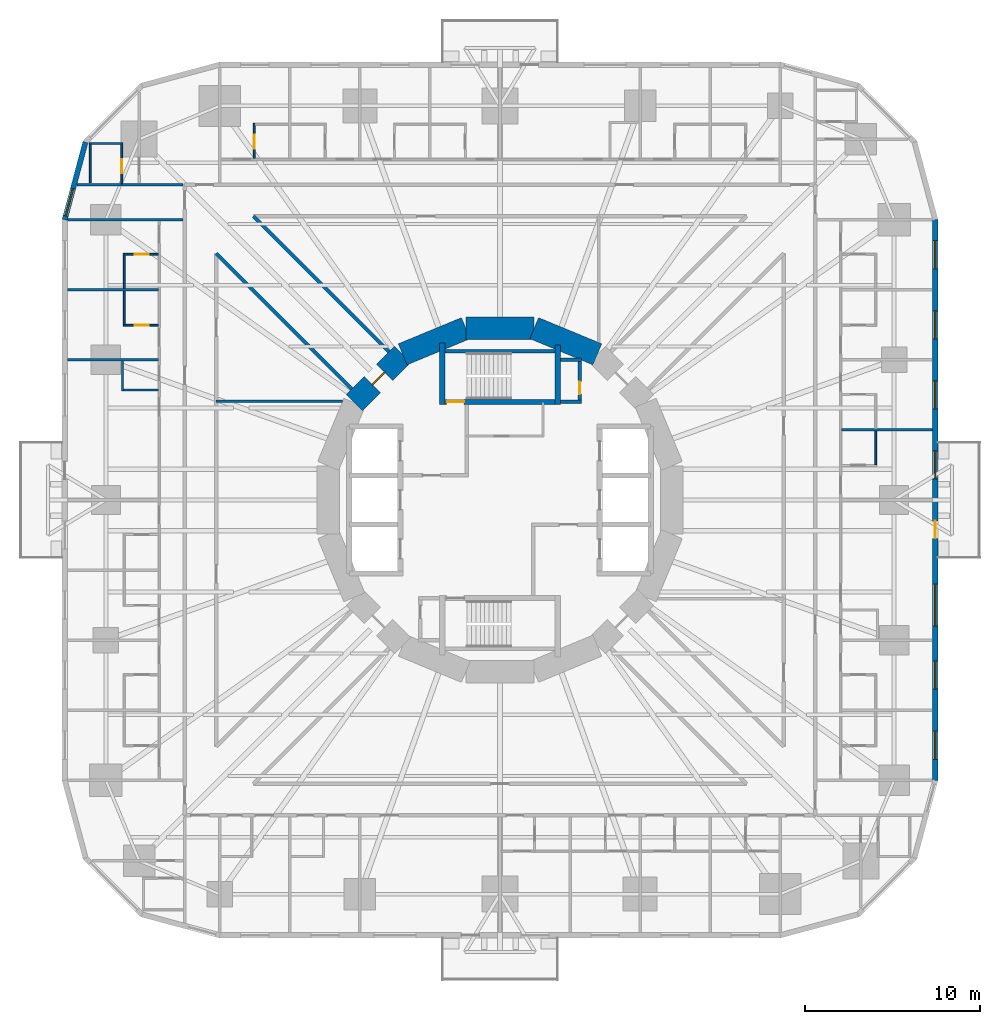
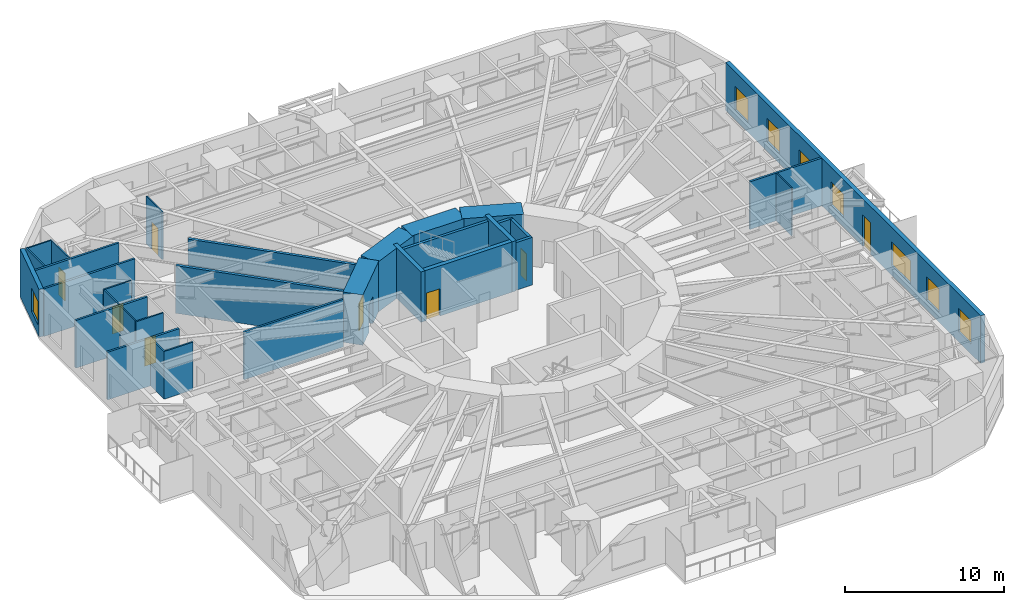
# One storey, part 9 of 14: 32 walls, 8 doors, 8 windows, 16 openings.
"""IFC4 building model written with IfcOpenShell, lengths in metres."""

from ifc_helpers import new_model, si_unit, direction, frame, frame_2d, origin, place, context, subcontext, project, spatial, rectangle, extrude, material, layer, layer_set, type_object, element, fill, save


model = new_model("IFC4")

# Units and contexts
model_context = context("Model", 3, precision=1e-05, world=origin(), true_north=direction((0.0, 1.0)))
body_context = subcontext(model_context, "Body", "Model", "MODEL_VIEW")
ifc_project = project(units=[si_unit("LENGTHUNIT", "METRE"), si_unit("AREAUNIT", "SQUARE_METRE"), si_unit("VOLUMEUNIT", "CUBIC_METRE"), si_unit("PLANEANGLEUNIT", "RADIAN"), si_unit("MASSUNIT", "GRAM", prefix="KILO")], contexts=[model_context])

# Site, building, storey
site_placement = place(None, origin())
site = spatial("IfcSite", under=ifc_project, at=site_placement, CompositionType="ELEMENT")
building_placement = place(site_placement, origin())
building = spatial("IfcBuilding", under=site, at=building_placement, Name="Nakasero Lantern House", CompositionType="ELEMENT")
storey_placement = place(building_placement, frame((0.0, 0.0, 35.25)))
storey = spatial("IfcBuildingStorey", under=building, at=storey_placement, Name="L08", CompositionType="ELEMENT", Elevation=35.25)

# Wall, opening, door
ifc_material_1 = material(Name="Concrete C50/60", Category="concrete")
ifc_layer_1 = layer(ifc_material_1, 0.300048828125)
ifc_layer_set_1 = layer_set([ifc_layer_1], Name="Core inner wall 300")
wall_type_1 = type_object("IfcWallType", Name="Core inner wall 300", PredefinedType="SHEAR", material=ifc_layer_set_1)
wall_1_placement = place(storey_placement, frame((-3.449951171875, 5.60009765625, 0.0), z_axis=(0.0, 0.0, 1.0), x_axis=(1.0, 0.0, 0.0)))
wall_1 = element("IfcWall", 1, at=wall_1_placement, inside=storey, type_object=wall_type_1, Name="Core inner wall L08 SN", PredefinedType="SHEAR", context=body_context, shape_type="SweptSolid", body=[
    extrude(rectangle(XDim=6.89990234375, YDim=0.300048828125, at=frame_2d((3.449951171875, 0.0))), origin(), (0.0, 0.0, 1.0), 3.85009765625),
])
opening_1_placement = place(wall_1_placement, frame((0.39990234375, 0.0, 0.0)))
opening_1 = element("IfcOpeningElement", 2, at=opening_1_placement, cuts=wall_1, Name="Opening D05", PredefinedType="OPENING", context=body_context, shape_type="SweptSolid", body=[
    extrude(rectangle(XDim=1.0, YDim=2.10009765625, at=frame_2d((0.5, 1.050048828125))), frame((0.0, 0.169921875, 0.0), z_axis=(0.0, -1.0, 0.0), x_axis=(1.0, 0.0, 0.0)), (0.0, 0.0, 1.0), 0.340087890625),
])
ifc_material_2 = material(Name="Timber C24", Category="wood")
door_type_1 = type_object("IfcDoorType", Name="Core door FD60S 1000", OperationType="SINGLE_SWING_LEFT", PredefinedType="DOOR", material=ifc_material_2)
door_1_placement = place(opening_1_placement, origin())
door_1 = element("IfcDoor", 3, at=door_1_placement, inside=storey, type_object=door_type_1, Name="Door L08 D-ST1", OperationType="SINGLE_SWING_LEFT", OverallHeight=2.10009765625, OverallWidth=1.0, PredefinedType="DOOR", context=body_context, shape_type="SweptSolid", body=[
    extrude(rectangle(XDim=1.0, YDim=2.10009765625, at=frame_2d((0.5, 1.050048828125))), frame((0.0, 0.02490234375, 0.0), z_axis=(0.0, -1.0, 0.0), x_axis=(1.0, 0.0, 0.0)), (0.0, 0.0, 1.0), 0.050048828125),
])
fill(opening_1, door_1)

# Walls
wall_2_placement = place(storey_placement, frame((-3.300048828125, 5.449951171875, 0.0), z_axis=(0.0, 0.0, 1.0), x_axis=(0.0, 1.0, 0.0)))
element("IfcWall", 4, at=wall_2_placement, inside=storey, type_object=wall_type_1, Name="Core inner wall L08 SNW", PredefinedType="SHEAR", context=body_context, shape_type="SweptSolid", body=[
    extrude(rectangle(XDim=3.5, YDim=0.300048828125, at=frame_2d((1.75, 0.0))), origin(), (0.0, 0.0, 1.0), 3.85009765625),
])
wall_3_placement = place(storey_placement, frame((3.300048828125, 5.449951171875, 0.0), z_axis=(0.0, 0.0, 1.0), x_axis=(0.0, 1.0, 0.0)))
element("IfcWall", 5, at=wall_3_placement, inside=storey, type_object=wall_type_1, Name="Core inner wall L08 SNE", PredefinedType="SHEAR", context=body_context, shape_type="SweptSolid", body=[
    extrude(rectangle(XDim=3.400146484375, YDim=0.300048828125, at=frame_2d((1.7001953125, 0.0))), origin(), (0.0, 0.0, 1.0), 3.85009765625),
])
ifc_material_3 = material(Name="Concrete C50/60", Category="concrete")
ifc_layer_2 = layer(ifc_material_3, 1.300048828125)
ifc_layer_set_2 = layer_set([ifc_layer_2], Name="Core wall 1300")
wall_type_2 = type_object("IfcWallType", Name="Core wall 1300", PredefinedType="SHEAR", material=ifc_layer_set_2)
for number, where, z_axis, x_axis, name in (
    (6, (5.5556640625, 8.314697265625, 0.0), (0.0, 0.0, 1.0), (-0.923876507187, 0.382690736062, 0.0), "Core wall L08 facet 3"),
    (7, (1.950927734375, 9.807861328125, 0.0), (0.0, 0.0, 1.0), (-1.0, 0.0, 0.0), "Core wall L08 facet 4"),
    (8, (-1.950927734375, 9.807861328125, 0.0), (0.0, 0.0, 1.0), (-0.923876507187, -0.382690736062, 0.0), "Core wall L08 facet 5"),
):
    element("IfcWall", number, at=place(storey_placement, frame(where, z_axis=z_axis, x_axis=x_axis)), inside=storey, type_object=wall_type_2, Name=name, PredefinedType="SHEAR", context=body_context, shape_type="SweptSolid", body=[
        extrude(rectangle(XDim=3.90185546875, YDim=1.300048828125, at=frame_2d((1.950927734375, 0.0))), origin(), (0.0, 0.0, 1.0), 3.85009765625),
    ])

# Wall, opening, door
wall_4_placement = place(storey_placement, frame((-5.5556640625, 8.314697265625, 0.0), z_axis=(0.0, 0.0, 1.0), x_axis=(-0.707106781187, -0.707106781187, 0.0)))
wall_4 = element("IfcWall", 9, at=wall_4_placement, inside=storey, type_object=wall_type_2, Name="Core wall L08 facet 6", PredefinedType="SHEAR", context=body_context, shape_type="SweptSolid", body=[
    extrude(rectangle(XDim=3.90185546875, YDim=1.300048828125, at=frame_2d((1.950927734375, 0.0))), origin(), (0.0, 0.0, 1.0), 3.85009765625),
])
opening_2_placement = place(wall_4_placement, frame((1.450927734375, 0.0, 0.0)))
opening_2 = element("IfcOpeningElement", 10, at=opening_2_placement, cuts=wall_4, Name="Opening D05", PredefinedType="OPENING", context=body_context, shape_type="SweptSolid", body=[
    extrude(rectangle(XDim=1.0, YDim=2.10009765625, at=frame_2d((0.5, 1.050048828125))), frame((0.0, 0.669921875, 0.0), z_axis=(0.0, -1.0, 0.0), x_axis=(1.0, 0.0, 0.0)), (0.0, 0.0, 1.0), 1.340087890625),
])
door_2_placement = place(opening_2_placement, origin())
door_2 = element("IfcDoor", 11, at=door_2_placement, inside=storey, type_object=door_type_1, Name="Door L08 D-CORE06", OperationType="SINGLE_SWING_LEFT", OverallHeight=2.10009765625, OverallWidth=1.0, PredefinedType="DOOR", context=body_context, shape_type="SweptSolid", body=[
    extrude(rectangle(XDim=1.0, YDim=2.10009765625, at=frame_2d((0.5, 1.050048828125))), frame((0.0, 0.02490234375, 0.0), z_axis=(0.0, -1.0, 0.0), x_axis=(1.0, 0.0, 0.0)), (0.0, 0.0, 1.0), 0.050048828125),
])
fill(opening_2, door_2)

# Walls
ifc_material_4 = material(Name="Blockwork", Category="masonry")
ifc_layer_3 = layer(ifc_material_4, 0.199951171875)
ifc_layer_set_3 = layer_set([ifc_layer_3], Name="Corridor wall 200")
wall_type_3 = type_object("IfcWallType", Name="Corridor wall 200", PredefinedType="PARTITIONING", material=ifc_layer_set_3)
for number, where, z_axis, x_axis, name in (
    (12, (-8.45556640625, 6.334228515625, 0.0), (0.0, 0.0, 1.0), (-0.707106781187, 0.707106781187, 0.0), "Corridor wall L08 PS06a"),
    (13, (-6.334228515625, 8.45556640625, 0.0), (0.0, 0.0, 1.0), (-0.707106781187, 0.707106781187, 0.0), "Corridor wall L08 PS06b"),
):
    element("IfcWall", number, at=place(storey_placement, frame(where, z_axis=z_axis, x_axis=x_axis)), inside=storey, type_object=wall_type_3, Name=name, PredefinedType="PARTITIONING", context=body_context, shape_type="SweptSolid", body=[
        extrude(rectangle(XDim=10.9521484375, YDim=0.199951171875, at=frame_2d((5.47607421875, 0.0))), origin(), (0.0, 0.0, 1.0), 3.64990234375),
    ])
ifc_material_5 = material(Name="Blockwork", Category="masonry")
ifc_layer_4 = layer(ifc_material_5, 0.10009765625)
ifc_layer_set_4 = layer_set([ifc_layer_4], Name="En-suite wall 100")
wall_type_4 = type_object("IfcWallType", Name="En-suite wall 100", PredefinedType="PARTITIONING", material=ifc_layer_set_4)
wall_5_placement = place(storey_placement, frame((21.449951171875, 2.02490234375, 0.0), z_axis=(0.0, 0.0, 1.0), x_axis=(0.0, 1.0, 0.0)))
element("IfcWall", 14, at=wall_5_placement, inside=storey, type_object=wall_type_4, Name="En-suite wall L08 EE0-05", PredefinedType="PARTITIONING", context=body_context, shape_type="SweptSolid", body=[
    extrude(rectangle(XDim=1.900146484375, YDim=0.10009765625, at=frame_2d((0.9501953125, 0.0))), origin(), (0.0, 0.0, 1.0), 3.64990234375),
])

# Wall, opening, door
wall_6_placement = place(storey_placement, frame((-14.02490234375, 19.5, 0.0), z_axis=(0.0, 0.0, 1.0), x_axis=(0.0, 1.0, 0.0)))
wall_6 = element("IfcWall", 15, at=wall_6_placement, inside=storey, type_object=wall_type_4, Name="En-suite wall L08 ES1-08", PredefinedType="PARTITIONING", context=body_context, shape_type="SweptSolid", body=[
    extrude(rectangle(XDim=2.0, YDim=0.10009765625, at=frame_2d((1.0, 0.0))), origin(), (0.0, 0.0, 1.0), 3.64990234375),
])
opening_3_placement = place(wall_6_placement, frame((0.550048828125, 0.0, 0.0)))
opening_3 = element("IfcOpeningElement", 16, at=opening_3_placement, cuts=wall_6, Name="Opening D02", PredefinedType="OPENING", context=body_context, shape_type="SweptSolid", body=[
    extrude(rectangle(XDim=0.800048828125, YDim=2.10009765625, at=frame_2d((0.39990234375, 1.050048828125))), frame((0.0, 0.070068359375, 0.0), z_axis=(0.0, -1.0, 0.0), x_axis=(1.0, 0.0, 0.0)), (0.0, 0.0, 1.0), 0.14013671875),
])
ifc_material_6 = material(Name="Timber C24", Category="wood")
door_type_2 = type_object("IfcDoorType", Name="En-suite door 800", OperationType="SINGLE_SWING_RIGHT", PredefinedType="DOOR", material=ifc_material_6)
door_3_placement = place(opening_3_placement, origin())
door_3 = element("IfcDoor", 17, at=door_3_placement, inside=storey, type_object=door_type_2, Name="Door L08 DE1-08", OperationType="SINGLE_SWING_LEFT", OverallHeight=2.10009765625, OverallWidth=0.800048828125, PredefinedType="DOOR", context=body_context, shape_type="SweptSolid", body=[
    extrude(rectangle(XDim=0.800048828125, YDim=2.10009765625, at=frame_2d((0.39990234375, 1.050048828125))), frame((0.0, 0.02490234375, 0.0), z_axis=(0.0, -1.0, 0.0), x_axis=(1.0, 0.0, 0.0)), (0.0, 0.0, 1.0), 0.050048828125),
])
fill(opening_3, door_3)

wall_7_placement = place(storey_placement, frame((-21.59619140625, 18.06494140625, 0.0), z_axis=(0.0, 0.0, 1.0), x_axis=(0.0, 1.0, 0.0)))
wall_7 = element("IfcWall", 18, at=wall_7_placement, inside=storey, type_object=wall_type_4, Name="En-suite wall L08 ES1-09", PredefinedType="PARTITIONING", context=body_context, shape_type="SweptSolid", body=[
    extrude(rectangle(XDim=2.3349609375, YDim=0.10009765625, at=frame_2d((1.16748046875, 0.0))), origin(), (0.0, 0.0, 1.0), 3.64990234375),
])
opening_4_placement = place(wall_7_placement, frame((0.5849609375, 0.0, 0.0)))
opening_4 = element("IfcOpeningElement", 19, at=opening_4_placement, cuts=wall_7, Name="Opening D02", PredefinedType="OPENING", context=body_context, shape_type="SweptSolid", body=[
    extrude(rectangle(XDim=0.800048828125, YDim=2.10009765625, at=frame_2d((0.39990234375, 1.050048828125))), frame((0.0, 0.070068359375, 0.0), z_axis=(0.0, -1.0, 0.0), x_axis=(1.0, 0.0, 0.0)), (0.0, 0.0, 1.0), 0.14013671875),
])
door_4_placement = place(opening_4_placement, origin())
door_4 = element("IfcDoor", 20, at=door_4_placement, inside=storey, type_object=door_type_2, Name="Door L08 DE1-09", OperationType="SINGLE_SWING_LEFT", OverallHeight=2.10009765625, OverallWidth=0.800048828125, PredefinedType="DOOR", context=body_context, shape_type="SweptSolid", body=[
    extrude(rectangle(XDim=0.800048828125, YDim=2.10009765625, at=frame_2d((0.39990234375, 1.050048828125))), frame((0.0, 0.02490234375, 0.0), z_axis=(0.0, -1.0, 0.0), x_axis=(1.0, 0.0, 0.0)), (0.0, 0.0, 1.0), 0.050048828125),
])
fill(opening_4, door_4)

# Walls
wall_8_placement = place(storey_placement, frame((-21.646240234375, 20.35009765625, 0.0), z_axis=(0.0, 0.0, 1.0), x_axis=(-1.0, 0.0, 0.0)))
element("IfcWall", 21, at=wall_8_placement, inside=storey, type_object=wall_type_4, Name="En-suite wall L08 EE1-09", PredefinedType="PARTITIONING", context=body_context, shape_type="SweptSolid", body=[
    extrude(rectangle(XDim=1.699951171875, YDim=0.10009765625, at=frame_2d((0.85009765625, 0.0))), origin(), (0.0, 0.0, 1.0), 3.64990234375),
])
wall_9_placement = place(storey_placement, frame((-23.396240234375, 18.10009765625, 0.0), z_axis=(0.0, 0.0, 1.0), x_axis=(0.0, 1.0, 0.0)))
element("IfcWall", 22, at=wall_9_placement, inside=storey, type_object=wall_type_4, Name="En-suite wall L08 EV1-09", PredefinedType="PARTITIONING", context=body_context, shape_type="SweptSolid", body=[
    extrude(rectangle(XDim=2.2998046875, YDim=0.10009765625, at=frame_2d((1.14990234375, 0.0))), origin(), (0.0, 0.0, 1.0), 3.64990234375),
])
wall_10_placement = place(storey_placement, frame((-19.5, 6.27490234375, 0.0), z_axis=(0.0, 0.0, 1.0), x_axis=(-1.0, 0.0, 0.0)))
element("IfcWall", 23, at=wall_10_placement, inside=storey, type_object=wall_type_4, Name="En-suite wall L08 SS2-0", PredefinedType="PARTITIONING", context=body_context, shape_type="SweptSolid", body=[
    extrude(rectangle(XDim=2.10009765625, YDim=0.10009765625, at=frame_2d((1.050048828125, 0.0))), origin(), (0.0, 0.0, 1.0), 3.64990234375),
])
wall_11_placement = place(storey_placement, frame((-21.550048828125, 7.925048828125, 0.0), z_axis=(0.0, 0.0, 1.0), x_axis=(0.0, -1.0, 0.0)))
element("IfcWall", 24, at=wall_11_placement, inside=storey, type_object=wall_type_4, Name="En-suite wall L08 SE2-0", PredefinedType="PARTITIONING", context=body_context, shape_type="SweptSolid", body=[
    extrude(rectangle(XDim=1.699951171875, YDim=0.10009765625, at=frame_2d((0.85009765625, 0.0))), origin(), (0.0, 0.0, 1.0), 3.64990234375),
])

# Wall, opening, door
wall_12_placement = place(storey_placement, frame((-19.5, 14.02490234375, 0.0), z_axis=(0.0, 0.0, 1.0), x_axis=(-1.0, 0.0, 0.0)))
wall_12 = element("IfcWall", 25, at=wall_12_placement, inside=storey, type_object=wall_type_4, Name="En-suite wall L08 ES2-01", PredefinedType="PARTITIONING", context=body_context, shape_type="SweptSolid", body=[
    extrude(rectangle(XDim=2.0, YDim=0.10009765625, at=frame_2d((1.0, 0.0))), origin(), (0.0, 0.0, 1.0), 3.64990234375),
])
opening_5_placement = place(wall_12_placement, frame((0.550048828125, 0.0, 0.0)))
opening_5 = element("IfcOpeningElement", 26, at=opening_5_placement, cuts=wall_12, Name="Opening D02", PredefinedType="OPENING", context=body_context, shape_type="SweptSolid", body=[
    extrude(rectangle(XDim=0.800048828125, YDim=2.10009765625, at=frame_2d((0.39990234375, 1.050048828125))), frame((0.0, 0.070068359375, 0.0), z_axis=(0.0, -1.0, 0.0), x_axis=(1.0, 0.0, 0.0)), (0.0, 0.0, 1.0), 0.14013671875),
])
door_5_placement = place(opening_5_placement, origin())
door_5 = element("IfcDoor", 27, at=door_5_placement, inside=storey, type_object=door_type_2, Name="Door L08 DE2-01", OperationType="SINGLE_SWING_LEFT", OverallHeight=2.10009765625, OverallWidth=0.800048828125, PredefinedType="DOOR", context=body_context, shape_type="SweptSolid", body=[
    extrude(rectangle(XDim=0.800048828125, YDim=2.10009765625, at=frame_2d((0.39990234375, 1.050048828125))), frame((0.0, 0.02490234375, 0.0), z_axis=(0.0, -1.0, 0.0), x_axis=(1.0, 0.0, 0.0)), (0.0, 0.0, 1.0), 0.050048828125),
])
fill(opening_5, door_5)

# Wall
wall_13_placement = place(storey_placement, frame((-21.449951171875, 13.97509765625, 0.0), z_axis=(0.0, 0.0, 1.0), x_axis=(0.0, -1.0, 0.0)))
element("IfcWall", 28, at=wall_13_placement, inside=storey, type_object=wall_type_4, Name="En-suite wall L08 EE2-01", PredefinedType="PARTITIONING", context=body_context, shape_type="SweptSolid", body=[
    extrude(rectangle(XDim=1.900146484375, YDim=0.10009765625, at=frame_2d((0.9501953125, 0.0))), origin(), (0.0, 0.0, 1.0), 3.64990234375),
])

# Wall, opening, door
wall_14_placement = place(storey_placement, frame((-19.5, 9.97509765625, 0.0), z_axis=(0.0, 0.0, 1.0), x_axis=(-1.0, 0.0, 0.0)))
wall_14 = element("IfcWall", 29, at=wall_14_placement, inside=storey, type_object=wall_type_4, Name="En-suite wall L08 ES2-02", PredefinedType="PARTITIONING", context=body_context, shape_type="SweptSolid", body=[
    extrude(rectangle(XDim=2.0, YDim=0.10009765625, at=frame_2d((1.0, 0.0))), origin(), (0.0, 0.0, 1.0), 3.64990234375),
])
opening_6_placement = place(wall_14_placement, frame((0.550048828125, 0.0, 0.0)))
opening_6 = element("IfcOpeningElement", 30, at=opening_6_placement, cuts=wall_14, Name="Opening D02", PredefinedType="OPENING", context=body_context, shape_type="SweptSolid", body=[
    extrude(rectangle(XDim=0.800048828125, YDim=2.10009765625, at=frame_2d((0.39990234375, 1.050048828125))), frame((0.0, 0.070068359375, 0.0), z_axis=(0.0, -1.0, 0.0), x_axis=(1.0, 0.0, 0.0)), (0.0, 0.0, 1.0), 0.14013671875),
])
door_6_placement = place(opening_6_placement, origin())
door_6 = element("IfcDoor", 31, at=door_6_placement, inside=storey, type_object=door_type_2, Name="Door L08 DE2-02", OperationType="SINGLE_SWING_LEFT", OverallHeight=2.10009765625, OverallWidth=0.800048828125, PredefinedType="DOOR", context=body_context, shape_type="SweptSolid", body=[
    extrude(rectangle(XDim=0.800048828125, YDim=2.10009765625, at=frame_2d((0.39990234375, 1.050048828125))), frame((0.0, 0.02490234375, 0.0), z_axis=(0.0, -1.0, 0.0), x_axis=(1.0, 0.0, 0.0)), (0.0, 0.0, 1.0), 0.050048828125),
])
fill(opening_6, door_6)

# Wall
wall_15_placement = place(storey_placement, frame((-21.449951171875, 11.925048828125, 0.0), z_axis=(0.0, 0.0, 1.0), x_axis=(0.0, -1.0, 0.0)))
element("IfcWall", 32, at=wall_15_placement, inside=storey, type_object=wall_type_4, Name="En-suite wall L08 EE2-02", PredefinedType="PARTITIONING", context=body_context, shape_type="SweptSolid", body=[
    extrude(rectangle(XDim=1.900146484375, YDim=0.10009765625, at=frame_2d((0.9501953125, 0.0))), origin(), (0.0, 0.0, 1.0), 3.64990234375),
])

# Wall, openings, door, windows
ifc_material_7 = material(Name="Aluminium rainscreen on blockwork", Category="masonry")
ifc_layer_5 = layer(ifc_material_7, 0.300048828125)
ifc_layer_set_5 = layer_set([ifc_layer_5], Name="Facade wall 300")
wall_type_5 = type_object("IfcWallType", Name="Facade wall 300", PredefinedType="SOLIDWALL", material=ifc_layer_set_5)
wall_16_placement = place(storey_placement, frame((24.85009765625, -16.0, 0.0), z_axis=(0.0, 0.0, 1.0), x_axis=(0.0, 1.0, 0.0)))
wall_16 = element("IfcWall", 33, at=wall_16_placement, inside=storey, type_object=wall_type_5, Name="Facade wall L08 FW0S", PredefinedType="SOLIDWALL", context=body_context, shape_type="SweptSolid", body=[
    extrude(rectangle(XDim=32.0, YDim=0.300048828125, at=frame_2d((16.0, 0.0))), origin(), (0.0, 0.0, 1.0), 3.64990234375),
])
opening_7_placement = place(wall_16_placement, frame((1.199951171875, 0.0, 0.75)))
opening_7 = element("IfcOpeningElement", 34, at=opening_7_placement, cuts=wall_16, Name="Opening W01", PredefinedType="OPENING", context=body_context, shape_type="SweptSolid", body=[
    extrude(rectangle(XDim=1.60009765625, YDim=1.800048828125, at=frame_2d((0.800048828125, 0.89990234375))), frame((0.0, 0.169921875, 0.0), z_axis=(0.0, -1.0, 0.0), x_axis=(1.0, 0.0, 0.0)), (0.0, 0.0, 1.0), 0.340087890625),
])
opening_8_placement = place(wall_16_placement, frame((5.199951171875, 0.0, 0.75)))
opening_8 = element("IfcOpeningElement", 35, at=opening_8_placement, cuts=wall_16, Name="Opening W01", PredefinedType="OPENING", context=body_context, shape_type="SweptSolid", body=[
    extrude(rectangle(XDim=1.60009765625, YDim=1.800048828125, at=frame_2d((0.800048828125, 0.89990234375))), frame((0.0, 0.169921875, 0.0), z_axis=(0.0, -1.0, 0.0), x_axis=(1.0, 0.0, 0.0)), (0.0, 0.0, 1.0), 0.340087890625),
])
opening_9_placement = place(wall_16_placement, frame((17.199951171875, 0.0, 0.75)))
opening_9 = element("IfcOpeningElement", 36, at=opening_9_placement, cuts=wall_16, Name="Opening W01", PredefinedType="OPENING", context=body_context, shape_type="SweptSolid", body=[
    extrude(rectangle(XDim=1.60009765625, YDim=1.800048828125, at=frame_2d((0.800048828125, 0.89990234375))), frame((0.0, 0.169921875, 0.0), z_axis=(0.0, -1.0, 0.0), x_axis=(1.0, 0.0, 0.0)), (0.0, 0.0, 1.0), 0.340087890625),
])
opening_10_placement = place(wall_16_placement, frame((21.199951171875, 0.0, 0.75)))
opening_10 = element("IfcOpeningElement", 37, at=opening_10_placement, cuts=wall_16, Name="Opening W01", PredefinedType="OPENING", context=body_context, shape_type="SweptSolid", body=[
    extrude(rectangle(XDim=1.60009765625, YDim=1.800048828125, at=frame_2d((0.800048828125, 0.89990234375))), frame((0.0, 0.169921875, 0.0), z_axis=(0.0, -1.0, 0.0), x_axis=(1.0, 0.0, 0.0)), (0.0, 0.0, 1.0), 0.340087890625),
])
opening_11_placement = place(wall_16_placement, frame((25.199951171875, 0.0, 0.75)))
opening_11 = element("IfcOpeningElement", 38, at=opening_11_placement, cuts=wall_16, Name="Opening W01", PredefinedType="OPENING", context=body_context, shape_type="SweptSolid", body=[
    extrude(rectangle(XDim=1.60009765625, YDim=1.800048828125, at=frame_2d((0.800048828125, 0.89990234375))), frame((0.0, 0.169921875, 0.0), z_axis=(0.0, -1.0, 0.0), x_axis=(1.0, 0.0, 0.0)), (0.0, 0.0, 1.0), 0.340087890625),
])
opening_12_placement = place(wall_16_placement, frame((29.199951171875, 0.0, 0.75)))
opening_12 = element("IfcOpeningElement", 39, at=opening_12_placement, cuts=wall_16, Name="Opening W01", PredefinedType="OPENING", context=body_context, shape_type="SweptSolid", body=[
    extrude(rectangle(XDim=1.60009765625, YDim=1.800048828125, at=frame_2d((0.800048828125, 0.89990234375))), frame((0.0, 0.169921875, 0.0), z_axis=(0.0, -1.0, 0.0), x_axis=(1.0, 0.0, 0.0)), (0.0, 0.0, 1.0), 0.340087890625),
])
opening_13_placement = place(wall_16_placement, frame((8.800048828125, 0.0, 0.75)))
opening_13 = element("IfcOpeningElement", 40, at=opening_13_placement, cuts=wall_16, Name="Opening W03", PredefinedType="OPENING", context=body_context, shape_type="SweptSolid", body=[
    extrude(rectangle(XDim=2.39990234375, YDim=1.800048828125, at=frame_2d((1.199951171875, 0.89990234375))), frame((0.0, 0.169921875, 0.0), z_axis=(0.0, -1.0, 0.0), x_axis=(1.0, 0.0, 0.0)), (0.0, 0.0, 1.0), 0.340087890625),
])
opening_14_placement = place(wall_16_placement, frame((13.8125, 0.0, 0.0)))
opening_14 = element("IfcOpeningElement", 41, at=opening_14_placement, cuts=wall_16, Name="Opening D04", PredefinedType="OPENING", context=body_context, shape_type="SweptSolid", body=[
    extrude(rectangle(XDim=1.0, YDim=2.39990234375, at=frame_2d((0.5, 1.199951171875))), frame((0.0, 0.169921875, 0.0), z_axis=(0.0, -1.0, 0.0), x_axis=(1.0, 0.0, 0.0)), (0.0, 0.0, 1.0), 0.340087890625),
])
ifc_material_8 = material(Name="Aluminium 6063-T6 and glass", Category="aluminium")
door_type_3 = type_object("IfcDoorType", Name="Balcony door 1000x2400", OperationType="SINGLE_SWING_RIGHT", PredefinedType="DOOR", material=ifc_material_8)
door_7_placement = place(opening_14_placement, origin())
door_7 = element("IfcDoor", 42, at=door_7_placement, inside=storey, type_object=door_type_3, Name="Balcony door L08 DB0", OperationType="SINGLE_SWING_RIGHT", OverallHeight=2.39990234375, OverallWidth=1.0, PredefinedType="DOOR", context=body_context, shape_type="SweptSolid", body=[
    extrude(rectangle(XDim=1.0, YDim=2.39990234375, at=frame_2d((0.5, 1.199951171875))), frame((0.0, 0.02490234375, 0.0), z_axis=(0.0, -1.0, 0.0), x_axis=(1.0, 0.0, 0.0)), (0.0, 0.0, 1.0), 0.050048828125),
])
fill(opening_14, door_7)
ifc_material_9 = material(Name="Aluminium 6063-T6 and glass", Category="aluminium")
window_type_1 = type_object("IfcWindowType", Name="Bedroom window 1600x1800", PartitioningType="SINGLE_PANEL", PredefinedType="WINDOW", material=ifc_material_9)
window_1_placement = place(opening_7_placement, origin())
window_1 = element("IfcWindow", 43, at=window_1_placement, inside=storey, type_object=window_type_1, Name="Window L08 WN0-01", OverallHeight=1.800048828125, OverallWidth=1.60009765625, PartitioningType="SINGLE_PANEL", PredefinedType="WINDOW", context=body_context, shape_type="SweptSolid", body=[
    extrude(rectangle(XDim=1.60009765625, YDim=1.800048828125, at=frame_2d((0.800048828125, 0.89990234375))), frame((0.0, 0.030029296875, 0.0), z_axis=(0.0, -1.0, 0.0), x_axis=(1.0, 0.0, 0.0)), (0.0, 0.0, 1.0), 0.06005859375),
])
fill(opening_7, window_1)
window_2_placement = place(opening_8_placement, origin())
window_2 = element("IfcWindow", 44, at=window_2_placement, inside=storey, type_object=window_type_1, Name="Window L08 WN0-02", OverallHeight=1.800048828125, OverallWidth=1.60009765625, PartitioningType="SINGLE_PANEL", PredefinedType="WINDOW", context=body_context, shape_type="SweptSolid", body=[
    extrude(rectangle(XDim=1.60009765625, YDim=1.800048828125, at=frame_2d((0.800048828125, 0.89990234375))), frame((0.0, 0.030029296875, 0.0), z_axis=(0.0, -1.0, 0.0), x_axis=(1.0, 0.0, 0.0)), (0.0, 0.0, 1.0), 0.06005859375),
])
fill(opening_8, window_2)
window_3_placement = place(opening_9_placement, origin())
window_3 = element("IfcWindow", 45, at=window_3_placement, inside=storey, type_object=window_type_1, Name="Window L08 WN0-05", OverallHeight=1.800048828125, OverallWidth=1.60009765625, PartitioningType="SINGLE_PANEL", PredefinedType="WINDOW", context=body_context, shape_type="SweptSolid", body=[
    extrude(rectangle(XDim=1.60009765625, YDim=1.800048828125, at=frame_2d((0.800048828125, 0.89990234375))), frame((0.0, 0.030029296875, 0.0), z_axis=(0.0, -1.0, 0.0), x_axis=(1.0, 0.0, 0.0)), (0.0, 0.0, 1.0), 0.06005859375),
])
fill(opening_9, window_3)
window_4_placement = place(opening_10_placement, origin())
window_4 = element("IfcWindow", 46, at=window_4_placement, inside=storey, type_object=window_type_1, Name="Window L08 WN0-06", OverallHeight=1.800048828125, OverallWidth=1.60009765625, PartitioningType="SINGLE_PANEL", PredefinedType="WINDOW", context=body_context, shape_type="SweptSolid", body=[
    extrude(rectangle(XDim=1.60009765625, YDim=1.800048828125, at=frame_2d((0.800048828125, 0.89990234375))), frame((0.0, 0.030029296875, 0.0), z_axis=(0.0, -1.0, 0.0), x_axis=(1.0, 0.0, 0.0)), (0.0, 0.0, 1.0), 0.06005859375),
])
fill(opening_10, window_4)
window_5_placement = place(opening_11_placement, origin())
window_5 = element("IfcWindow", 47, at=window_5_placement, inside=storey, type_object=window_type_1, Name="Window L08 WN0-07", OverallHeight=1.800048828125, OverallWidth=1.60009765625, PartitioningType="SINGLE_PANEL", PredefinedType="WINDOW", context=body_context, shape_type="SweptSolid", body=[
    extrude(rectangle(XDim=1.60009765625, YDim=1.800048828125, at=frame_2d((0.800048828125, 0.89990234375))), frame((0.0, 0.030029296875, 0.0), z_axis=(0.0, -1.0, 0.0), x_axis=(1.0, 0.0, 0.0)), (0.0, 0.0, 1.0), 0.06005859375),
])
fill(opening_11, window_5)
window_6_placement = place(opening_12_placement, origin())
window_6 = element("IfcWindow", 48, at=window_6_placement, inside=storey, type_object=window_type_1, Name="Window L08 WN0-08", OverallHeight=1.800048828125, OverallWidth=1.60009765625, PartitioningType="SINGLE_PANEL", PredefinedType="WINDOW", context=body_context, shape_type="SweptSolid", body=[
    extrude(rectangle(XDim=1.60009765625, YDim=1.800048828125, at=frame_2d((0.800048828125, 0.89990234375))), frame((0.0, 0.030029296875, 0.0), z_axis=(0.0, -1.0, 0.0), x_axis=(1.0, 0.0, 0.0)), (0.0, 0.0, 1.0), 0.06005859375),
])
fill(opening_12, window_6)
ifc_material_10 = material(Name="Aluminium 6063-T6 and glass", Category="aluminium")
window_type_2 = type_object("IfcWindowType", Name="Lounge window 2400x1800", PartitioningType="SINGLE_PANEL", PredefinedType="WINDOW", material=ifc_material_10)
window_7_placement = place(opening_13_placement, origin())
window_7 = element("IfcWindow", 49, at=window_7_placement, inside=storey, type_object=window_type_2, Name="Window L08 WK0", OverallHeight=1.800048828125, OverallWidth=2.39990234375, PartitioningType="SINGLE_PANEL", PredefinedType="WINDOW", context=body_context, shape_type="SweptSolid", body=[
    extrude(rectangle(XDim=2.39990234375, YDim=1.800048828125, at=frame_2d((1.199951171875, 0.89990234375))), frame((0.0, 0.030029296875, 0.0), z_axis=(0.0, -1.0, 0.0), x_axis=(1.0, 0.0, 0.0)), (0.0, 0.0, 1.0), 0.06005859375),
])
fill(opening_13, window_7)

# Wall, opening, window
wall_17_placement = place(storey_placement, frame((-23.664306640625, 20.425048828125, 0.0), z_axis=(0.0, 0.0, 1.0), x_axis=(-0.258839972501, -0.965920218567, 0.0)))
wall_17 = element("IfcWall", 50, at=wall_17_placement, inside=storey, type_object=wall_type_5, Name="Facade wall L08 FW1C3", PredefinedType="SOLIDWALL", context=body_context, shape_type="SweptSolid", body=[
    extrude(rectangle(XDim=4.5810546875, YDim=0.300048828125, at=frame_2d((2.29052734375, 0.0))), origin(), (0.0, 0.0, 1.0), 3.64990234375),
])
opening_15_placement = place(wall_17_placement, frame((2.74609375, 0.0, 0.75)))
opening_15 = element("IfcOpeningElement", 51, at=opening_15_placement, cuts=wall_17, Name="Opening W01", PredefinedType="OPENING", context=body_context, shape_type="SweptSolid", body=[
    extrude(rectangle(XDim=1.60009765625, YDim=1.800048828125, at=frame_2d((0.800048828125, 0.89990234375))), frame((0.0, 0.169921875, 0.0), z_axis=(0.0, -1.0, 0.0), x_axis=(1.0, 0.0, 0.0)), (0.0, 0.0, 1.0), 0.340087890625),
])
window_8_placement = place(opening_15_placement, origin())
window_8 = element("IfcWindow", 52, at=window_8_placement, inside=storey, type_object=window_type_1, Name="Window L08 WN2-00", OverallHeight=1.800048828125, OverallWidth=1.60009765625, PartitioningType="SINGLE_PANEL", PredefinedType="WINDOW", context=body_context, shape_type="SweptSolid", body=[
    extrude(rectangle(XDim=1.60009765625, YDim=1.800048828125, at=frame_2d((0.800048828125, 0.89990234375))), frame((0.0, 0.030029296875, 0.0), z_axis=(0.0, -1.0, 0.0), x_axis=(1.0, 0.0, 0.0)), (0.0, 0.0, 1.0), 0.06005859375),
])
fill(opening_15, window_8)

# Wall, opening, door
ifc_material_11 = material(Name="Blockwork", Category="masonry")
ifc_layer_6 = layer(ifc_material_11, 0.199951171875)
ifc_layer_set_6 = layer_set([ifc_layer_6], Name="Fire lobby wall 200")
wall_type_6 = type_object("IfcWallType", Name="Fire lobby wall 200", PredefinedType="PARTITIONING", material=ifc_layer_set_6)
wall_18_placement = place(storey_placement, frame((4.550048828125, 5.60009765625, 0.0), z_axis=(0.0, 0.0, 1.0), x_axis=(0.0, 1.0, 0.0)))
wall_18 = element("IfcWall", 53, at=wall_18_placement, inside=storey, type_object=wall_type_6, Name="Fire lobby wall L08 W-RS1E", PredefinedType="PARTITIONING", context=body_context, shape_type="SweptSolid", body=[
    extrude(rectangle(XDim=2.39990234375, YDim=0.199951171875, at=frame_2d((1.199951171875, 0.0))), origin(), (0.0, 0.0, 1.0), 3.64990234375),
])
opening_16_placement = place(wall_18_placement, frame((0.449951171875, 0.0, 0.0)))
opening_16 = element("IfcOpeningElement", 54, at=opening_16_placement, cuts=wall_18, Name="Opening D06", PredefinedType="OPENING", context=body_context, shape_type="SweptSolid", body=[
    extrude(rectangle(XDim=0.699951171875, YDim=2.10009765625, at=frame_2d((0.35009765625, 1.050048828125))), frame((0.0, 0.119873046875, 0.0), z_axis=(0.0, -1.0, 0.0), x_axis=(1.0, 0.0, 0.0)), (0.0, 0.0, 1.0), 0.239990234375),
])
ifc_material_12 = material(Name="Steel S355", Category="steel")
door_type_4 = type_object("IfcDoorType", Name="Riser door FD60 700", OperationType="SINGLE_SWING_LEFT", PredefinedType="DOOR", material=ifc_material_12)
door_8_placement = place(opening_16_placement, origin())
door_8 = element("IfcDoor", 55, at=door_8_placement, inside=storey, type_object=door_type_4, Name="Door L08 D-RS1", OperationType="SINGLE_SWING_LEFT", OverallHeight=2.10009765625, OverallWidth=0.699951171875, PredefinedType="DOOR", context=body_context, shape_type="SweptSolid", body=[
    extrude(rectangle(XDim=0.699951171875, YDim=2.10009765625, at=frame_2d((0.35009765625, 1.050048828125))), frame((0.0, 0.02490234375, 0.0), z_axis=(0.0, -1.0, 0.0), x_axis=(1.0, 0.0, 0.0)), (0.0, 0.0, 1.0), 0.050048828125),
])
fill(opening_16, door_8)

# Walls
for number, where, z_axis, x_axis, name in (
    (56, (3.449951171875, 8.0, 0.0), (0.0, 0.0, 1.0), (1.0, 0.0, 0.0), "Fire lobby wall L08 W-RS1N"),
    (57, (3.449951171875, 5.60009765625, 0.0), (0.0, 0.0, 1.0), (1.0, 0.0, 0.0), "Fire lobby wall L08 W-RS1S"),
):
    element("IfcWall", number, at=place(storey_placement, frame(where, z_axis=z_axis, x_axis=x_axis)), inside=storey, type_object=wall_type_6, Name=name, PredefinedType="PARTITIONING", context=body_context, shape_type="SweptSolid", body=[
        extrude(rectangle(XDim=1.199951171875, YDim=0.199951171875, at=frame_2d((0.60009765625, 0.0))), origin(), (0.0, 0.0, 1.0), 3.64990234375),
    ])
wall_19_placement = place(storey_placement, frame((-3.300048828125, 8.5, 0.0), z_axis=(0.0, 0.0, 1.0), x_axis=(1.0, 0.0, 0.0)))
element("IfcWall", 58, at=wall_19_placement, inside=storey, type_object=wall_type_6, Name="Fire lobby wall L08 W-STN", PredefinedType="PARTITIONING", context=body_context, shape_type="SweptSolid", body=[
    extrude(rectangle(XDim=6.60009765625, YDim=0.199951171875, at=frame_2d((3.300048828125, 0.0))), origin(), (0.0, 0.0, 1.0), 3.64990234375),
])
ifc_material_13 = material(Name="Blockwork", Category="masonry")
ifc_layer_7 = layer(ifc_material_13, 0.14990234375)
ifc_layer_set_7 = layer_set([ifc_layer_7], Name="Party wall 150")
wall_type_7 = type_object("IfcWallType", Name="Party wall 150", PredefinedType="PARTITIONING", material=ifc_layer_set_7)
wall_20_placement = place(storey_placement, frame((19.5, 4.0, 0.0), z_axis=(0.0, 0.0, 1.0), x_axis=(1.0, 0.0, 0.0)))
element("IfcWall", 59, at=wall_20_placement, inside=storey, type_object=wall_type_7, Name="Party wall L08 PW0-06", PredefinedType="PARTITIONING", context=body_context, shape_type="SweptSolid", body=[
    extrude(rectangle(XDim=5.199951171875, YDim=0.14990234375, at=frame_2d((2.60009765625, 0.0))), origin(), (0.0, 0.0, 1.0), 3.64990234375),
])
wall_21_placement = place(storey_placement, frame((-18.10009765625, 18.0, 0.0), z_axis=(0.0, 0.0, 1.0), x_axis=(-1.0, 0.0, 0.0)))
element("IfcWall", 60, at=wall_21_placement, inside=storey, type_object=wall_type_7, Name="Party wall L08 PW2-00", PredefinedType="PARTITIONING", context=body_context, shape_type="SweptSolid", body=[
    extrude(rectangle(XDim=6.053466796875, YDim=0.14990234375, at=frame_2d((3.02685546875, 0.0))), origin(), (0.0, 0.0, 1.0), 3.64990234375),
])
wall_22_placement = place(storey_placement, frame((-18.10009765625, 16.0, 0.0), z_axis=(0.0, 0.0, 1.0), x_axis=(-1.0, 0.0, 0.0)))
element("IfcWall", 61, at=wall_22_placement, inside=storey, type_object=wall_type_7, Name="Party wall L08 PW2-01", PredefinedType="PARTITIONING", context=body_context, shape_type="SweptSolid", body=[
    extrude(rectangle(XDim=6.58935546875, YDim=0.14990234375, at=frame_2d((3.294677734375, 0.0))), origin(), (0.0, 0.0, 1.0), 3.64990234375),
])
for number, where, z_axis, x_axis, name in (
    (62, (-19.5, 12.0, 0.0), (0.0, 0.0, 1.0), (-1.0, 0.0, 0.0), "Party wall L08 PW2-02"),
    (63, (-19.5, 8.0, 0.0), (0.0, 0.0, 1.0), (-1.0, 0.0, 0.0), "Party wall L08 PW2-03"),
):
    element("IfcWall", number, at=place(storey_placement, frame(where, z_axis=z_axis, x_axis=x_axis)), inside=storey, type_object=wall_type_7, Name=name, PredefinedType="PARTITIONING", context=body_context, shape_type="SweptSolid", body=[
        extrude(rectangle(XDim=5.199951171875, YDim=0.14990234375, at=frame_2d((2.60009765625, 0.0))), origin(), (0.0, 0.0, 1.0), 3.64990234375),
    ])
wall_23_placement = place(storey_placement, frame((-8.98681640625, 5.631591796875, 0.0), z_axis=(0.0, 0.0, 1.0), x_axis=(-1.0, 0.0, 0.0)))
element("IfcWall", 64, at=wall_23_placement, inside=storey, type_object=wall_type_7, Name="Party wall L08 IS4", PredefinedType="PARTITIONING", context=body_context, shape_type="SweptSolid", body=[
    extrude(rectangle(XDim=7.213134765625, YDim=0.14990234375, at=frame_2d((3.6064453125, 0.0))), origin(), (0.0, 0.0, 1.0), 3.64990234375),
])

save(model, "model.ifc")
